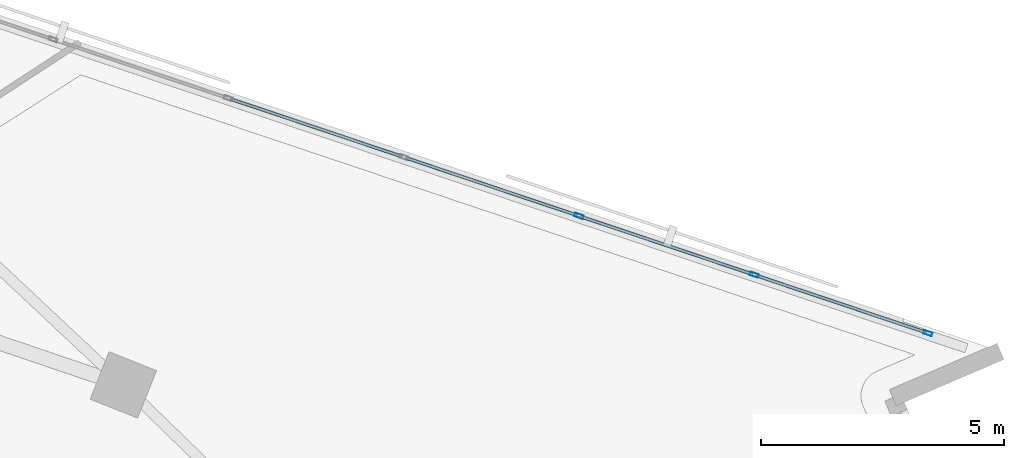
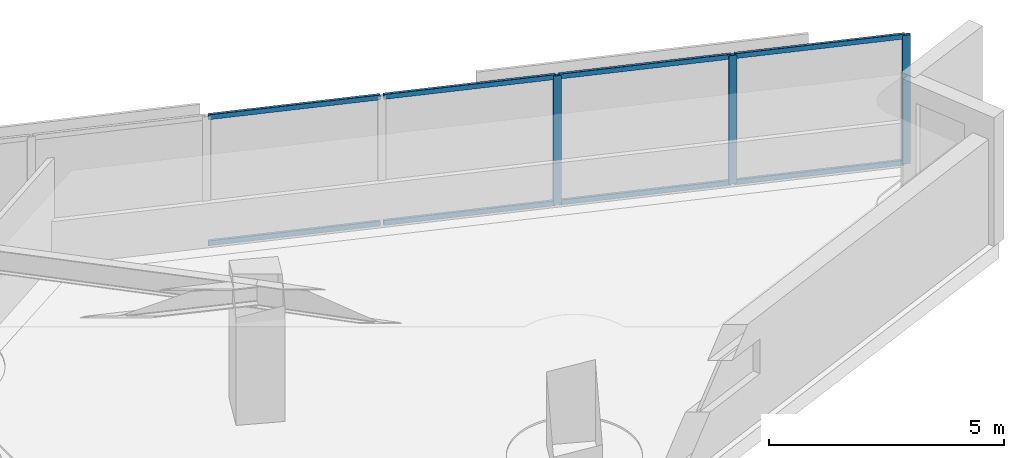
# One storey, part 5 of 13: 11 members, 1 element without a shape of its own.
"""IFC4 building model written with IfcOpenShell, lengths in metres."""

from ifc_helpers import new_model, si_unit, direction, frame, origin, origin_2d, place, context, subcontext, project, spatial, hollow_rectangle, extrude, material, material_profile, profile_set, type_object, element, aggregate, save


model = new_model("IFC4")

# Units and contexts
model_context = context("Model", 3, precision=1e-05, world=origin(), true_north=direction((0.0, 1.0)))
body_context = subcontext(model_context, "Body", "Model", "MODEL_VIEW")
ifc_project = project(units=[si_unit("LENGTHUNIT", "METRE"), si_unit("AREAUNIT", "SQUARE_METRE"), si_unit("VOLUMEUNIT", "CUBIC_METRE"), si_unit("PLANEANGLEUNIT", "RADIAN"), si_unit("MASSUNIT", "GRAM", prefix="KILO")], contexts=[model_context])

# Site, building, storey
site_placement = place(None, origin())
site = spatial("IfcSite", under=ifc_project, at=site_placement, CompositionType="ELEMENT")
building_placement = place(site_placement, origin())
building = spatial("IfcBuilding", under=site, at=building_placement, Name="Narakoshi Arena Tower", CompositionType="ELEMENT")
storey_placement = place(building_placement, frame((0.0, 0.0, 164.699951171875)))
storey = spatial("IfcBuildingStorey", under=building, at=storey_placement, Name="L44", CompositionType="ELEMENT", Elevation=164.699951171875)

# Curtain wall, members
ifc_material = material(Name="Anodised bronze aluminium 6063-T6", Category="aluminium")
curtain_wall_type = type_object("IfcCurtainWallType", Name="CW-HYP-MID", PredefinedType="NOTDEFINED", material=ifc_material)
curtain_wall_placement = place(storey_placement, origin())
curtain_wall = element("IfcCurtainWall", 1, at=curtain_wall_placement, inside=storey, type_object=curtain_wall_type, Name="L44 Folded Hypotenuse Curtain Wall 1-1", PredefinedType="NOTDEFINED")
ifc_material_profile_1 = material_profile(ifc_material, hollow_rectangle(XDim=0.074951171875, YDim=0.179931640625, WallThickness=0.00390625, OuterFilletRadius=0.0048828125, at=origin_2d()), Name="MUL180x75x4")
ifc_profile_set_1 = profile_set([ifc_material_profile_1], Name="Anodised bronze aluminium 6063-T6")
member_type_1 = type_object("IfcMemberType", Name="MEM-MUL-180", PredefinedType="MULLION", material=ifc_profile_set_1)
member_1_placement = place(storey_placement, frame((116.57080078125, 52.6513671875, 0.0), z_axis=(0.0, 0.0, 1.0), x_axis=(-0.318260960253, -0.948003144077, 0.0)))
member_1 = element("IfcMember", 2, at=member_1_placement, type_object=member_type_1, Name="CW-02 mullion 1", PredefinedType="MULLION", context=body_context, shape_type="SweptSolid", body=[
    extrude(hollow_rectangle(XDim=0.074951171875, YDim=0.179931640625, WallThickness=0.00390625, OuterFilletRadius=0.0048828125, at=origin_2d()), origin(), (0.0, 0.0, 1.0), 3.340087890625),
])
member_2_placement = place(storey_placement, frame((112.998779296875, 53.8505859375, 0.0), z_axis=(0.0, 0.0, 1.0), x_axis=(-0.318260960253, -0.948003144077, 0.0)))
member_2 = element("IfcMember", 3, at=member_2_placement, type_object=member_type_1, Name="CW-02 mullion 2", PredefinedType="MULLION", context=body_context, shape_type="SweptSolid", body=[
    extrude(hollow_rectangle(XDim=0.074951171875, YDim=0.179931640625, WallThickness=0.00390625, OuterFilletRadius=0.0048828125, at=origin_2d()), origin(), (0.0, 0.0, 1.0), 3.340087890625),
])
member_3_placement = place(storey_placement, frame((109.39111328125, 55.061767578125, 0.0), z_axis=(0.0, 0.0, 1.0), x_axis=(-0.318260960253, -0.948003144077, 0.0)))
member_3 = element("IfcMember", 4, at=member_3_placement, type_object=member_type_1, Name="CW-02 mullion 3", PredefinedType="MULLION", context=body_context, shape_type="SweptSolid", body=[
    extrude(hollow_rectangle(XDim=0.074951171875, YDim=0.179931640625, WallThickness=0.00390625, OuterFilletRadius=0.0048828125, at=origin_2d()), origin(), (0.0, 0.0, 1.0), 3.340087890625),
])
ifc_material_profile_2 = material_profile(ifc_material, hollow_rectangle(XDim=0.06494140625, YDim=0.1298828125, WallThickness=0.00390625, OuterFilletRadius=0.0048828125, at=origin_2d()), Name="TRN130x65x4")
ifc_profile_set_2 = profile_set([ifc_material_profile_2], Name="Anodised bronze aluminium 6063-T6")
member_type_2 = type_object("IfcMemberType", Name="MEM-TRN-130", PredefinedType="USERDEFINED", material=ifc_profile_set_2)
member_4_placement = place(storey_placement, frame((116.53515625, 52.663330078125, 0.032470703125), z_axis=(-0.948006826737, 0.31824999051, 0.0), x_axis=(-0.31824999051, -0.948006826737, 0.0)))
member_4 = element("IfcMember", 5, at=member_4_placement, type_object=member_type_2, Name="CW-02 transom 1.1", ObjectType="TRANSOM", PredefinedType="USERDEFINED", context=body_context, shape_type="SweptSolid", body=[
    extrude(hollow_rectangle(XDim=0.06494140625, YDim=0.1298828125, WallThickness=0.00390625, OuterFilletRadius=0.0048828125, at=origin_2d()), origin(), (0.0, 0.0, 1.0), 3.69287109375),
])
member_5_placement = place(storey_placement, frame((116.53515625, 52.663330078125, 3.3076171875), z_axis=(-0.948006826737, 0.31824999051, 0.0), x_axis=(-0.31824999051, -0.948006826737, 0.0)))
member_5 = element("IfcMember", 6, at=member_5_placement, type_object=member_type_2, Name="CW-02 transom 1.2", ObjectType="TRANSOM", PredefinedType="USERDEFINED", context=body_context, shape_type="SweptSolid", body=[
    extrude(hollow_rectangle(XDim=0.06494140625, YDim=0.1298828125, WallThickness=0.00390625, OuterFilletRadius=0.0048828125, at=origin_2d()), origin(), (0.0, 0.0, 1.0), 3.69287109375),
])
member_6_placement = place(storey_placement, frame((112.963134765625, 53.862548828125, 0.032470703125), z_axis=(-0.948000451231, 0.318268981314, 0.0), x_axis=(-0.318268981314, -0.948000451231, 0.0)))
member_6 = element("IfcMember", 7, at=member_6_placement, type_object=member_type_2, Name="CW-02 transom 2.1", ObjectType="TRANSOM", PredefinedType="USERDEFINED", context=body_context, shape_type="SweptSolid", body=[
    extrude(hollow_rectangle(XDim=0.06494140625, YDim=0.1298828125, WallThickness=0.00390625, OuterFilletRadius=0.0048828125, at=origin_2d()), origin(), (0.0, 0.0, 1.0), 3.73046875),
])
member_7_placement = place(storey_placement, frame((112.963134765625, 53.862548828125, 3.3076171875), z_axis=(-0.948000451231, 0.318268981314, 0.0), x_axis=(-0.318268981314, -0.948000451231, 0.0)))
member_7 = element("IfcMember", 8, at=member_7_placement, type_object=member_type_2, Name="CW-02 transom 2.2", ObjectType="TRANSOM", PredefinedType="USERDEFINED", context=body_context, shape_type="SweptSolid", body=[
    extrude(hollow_rectangle(XDim=0.06494140625, YDim=0.1298828125, WallThickness=0.00390625, OuterFilletRadius=0.0048828125, at=origin_2d()), origin(), (0.0, 0.0, 1.0), 3.73046875),
])
member_8_placement = place(storey_placement, frame((109.35546875, 55.073486328125, 0.032470703125), z_axis=(-0.948000451231, 0.318268981314, 0.0), x_axis=(-0.318268981314, -0.948000451231, 0.0)))
member_8 = element("IfcMember", 9, at=member_8_placement, type_object=member_type_2, Name="CW-02 transom 3.1", ObjectType="TRANSOM", PredefinedType="USERDEFINED", context=body_context, shape_type="SweptSolid", body=[
    extrude(hollow_rectangle(XDim=0.06494140625, YDim=0.1298828125, WallThickness=0.00390625, OuterFilletRadius=0.0048828125, at=origin_2d()), origin(), (0.0, 0.0, 1.0), 3.73046875),
])
member_9_placement = place(storey_placement, frame((109.35546875, 55.073486328125, 3.3076171875), z_axis=(-0.948000451231, 0.318268981314, 0.0), x_axis=(-0.318268981314, -0.948000451231, 0.0)))
member_9 = element("IfcMember", 10, at=member_9_placement, type_object=member_type_2, Name="CW-02 transom 3.2", ObjectType="TRANSOM", PredefinedType="USERDEFINED", context=body_context, shape_type="SweptSolid", body=[
    extrude(hollow_rectangle(XDim=0.06494140625, YDim=0.1298828125, WallThickness=0.00390625, OuterFilletRadius=0.0048828125, at=origin_2d()), origin(), (0.0, 0.0, 1.0), 3.73046875),
])
member_10_placement = place(storey_placement, frame((105.748046875, 56.28466796875, 0.032470703125), z_axis=(-0.948007080082, 0.318249235844, 0.0), x_axis=(-0.318249235844, -0.948007080082, 0.0)))
member_10 = element("IfcMember", 11, at=member_10_placement, type_object=member_type_2, Name="CW-02 transom 4.1", ObjectType="TRANSOM", PredefinedType="USERDEFINED", context=body_context, shape_type="SweptSolid", body=[
    extrude(hollow_rectangle(XDim=0.06494140625, YDim=0.1298828125, WallThickness=0.00390625, OuterFilletRadius=0.0048828125, at=origin_2d()), origin(), (0.0, 0.0, 1.0), 3.73046875),
])
member_11_placement = place(storey_placement, frame((105.748046875, 56.28466796875, 3.3076171875), z_axis=(-0.948007080082, 0.318249235844, 0.0), x_axis=(-0.318249235844, -0.948007080082, 0.0)))
member_11 = element("IfcMember", 12, at=member_11_placement, type_object=member_type_2, Name="CW-02 transom 4.2", ObjectType="TRANSOM", PredefinedType="USERDEFINED", context=body_context, shape_type="SweptSolid", body=[
    extrude(hollow_rectangle(XDim=0.06494140625, YDim=0.1298828125, WallThickness=0.00390625, OuterFilletRadius=0.0048828125, at=origin_2d()), origin(), (0.0, 0.0, 1.0), 3.73046875),
])
aggregate(curtain_wall, [member_1, member_2, member_3, member_4, member_5, member_6, member_7, member_8, member_9, member_10, member_11])

save(model, "model.ifc")
